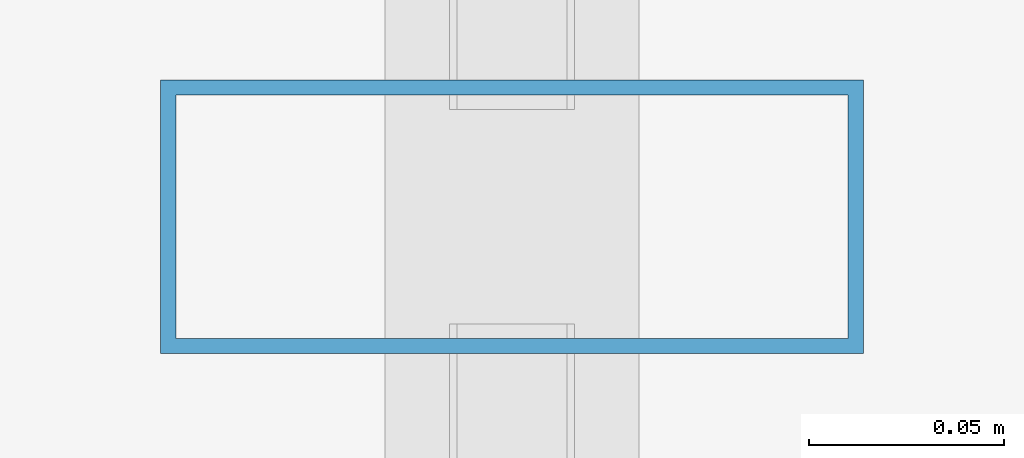
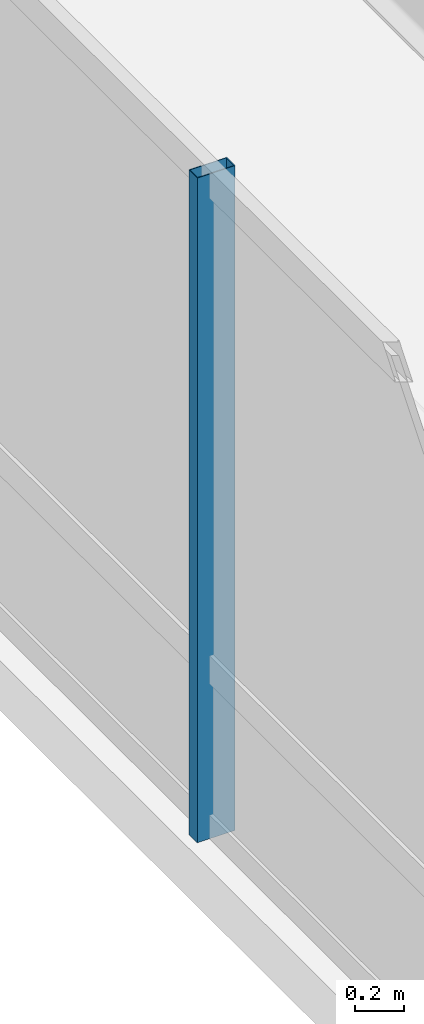
# One storey, part 13 of 29: 1 member, 1 element without a shape of its own.
"""IFC4 building model written with IfcOpenShell, lengths in metres."""

from ifc_helpers import new_model, si_unit, direction, frame, origin, origin_2d, place, context, subcontext, project, spatial, hollow_rectangle, extrude, material, layer, layer_set, material_profile, profile_set, type_object, element, aggregate, save


model = new_model("IFC4")

# Units and contexts
model_context = context("Model", 3, precision=1e-05, world=origin(), true_north=direction((0.0, 1.0)))
body_context = subcontext(model_context, "Body", "Model", "MODEL_VIEW")
ifc_project = project(units=[si_unit("LENGTHUNIT", "METRE"), si_unit("AREAUNIT", "SQUARE_METRE"), si_unit("VOLUMEUNIT", "CUBIC_METRE"), si_unit("PLANEANGLEUNIT", "RADIAN"), si_unit("MASSUNIT", "GRAM", prefix="KILO")], contexts=[model_context])

# Site, building, storey
site_placement = place(None, origin())
site = spatial("IfcSite", under=ifc_project, at=site_placement, CompositionType="ELEMENT")
building_placement = place(site_placement, origin())
building = spatial("IfcBuilding", under=site, at=building_placement, Name="Hatsunagi Terrace Concourse", CompositionType="ELEMENT")
storey_placement = place(building_placement, frame((0.0, 0.0, 126.449951171875)))
storey = spatial("IfcBuildingStorey", under=building, at=storey_placement, Name="L33", CompositionType="ELEMENT", Elevation=126.449951171875)

# Curtain wall, member
ifc_material_1 = material(Name="Anodised Aluminium Alloy 6063-T5", Category="aluminium")
ifc_layer = layer(ifc_material_1, 0.199951171875)
ifc_layer_set = layer_set([ifc_layer], Name="OfficeZone1_CW03")
curtain_wall_type = type_object("IfcCurtainWallType", Name="OfficeZone1_CW03", PredefinedType="NOTDEFINED", material=ifc_layer_set)
curtain_wall_placement = place(storey_placement, origin())
curtain_wall = element("IfcCurtainWall", 1, at=curtain_wall_placement, inside=storey, type_object=curtain_wall_type, Name="Unitised Curtain Wall CW-03 CW-L33-09", PredefinedType="NOTDEFINED")
ifc_material_2 = material(Name="Anodised Aluminium Alloy 6063-T5", Category="aluminium")
ifc_material_profile = material_profile(ifc_material_2, hollow_rectangle(XDim=0.070068359375, YDim=0.179931640625, WallThickness=0.00390625, at=origin_2d()), Name="ALU-MUL-180x70x4")
ifc_profile_set = profile_set([ifc_material_profile], Name="Anodised Aluminium Alloy 6063-T5")
member_type = type_object("IfcMemberType", Name="CurtainWallMullion_180x70", PredefinedType="MULLION", material=ifc_profile_set)
member_placement = place(storey_placement, frame((9.739990234375, 36.89990234375, 0.0), z_axis=(0.0, 0.0, 1.0), x_axis=(0.0, 1.0, 0.0)))
member = element("IfcMember", 2, at=member_placement, type_object=member_type, Name="Curtain Wall Mullion MUL-02", PredefinedType="MULLION", context=body_context, shape_type="SweptSolid", body=[
    extrude(hollow_rectangle(XDim=0.070068359375, YDim=0.179931640625, WallThickness=0.00390625, at=origin_2d()), origin(), (0.0, 0.0, 1.0), 3.340087890625),
])
aggregate(curtain_wall, [member])

save(model, "model.ifc")
